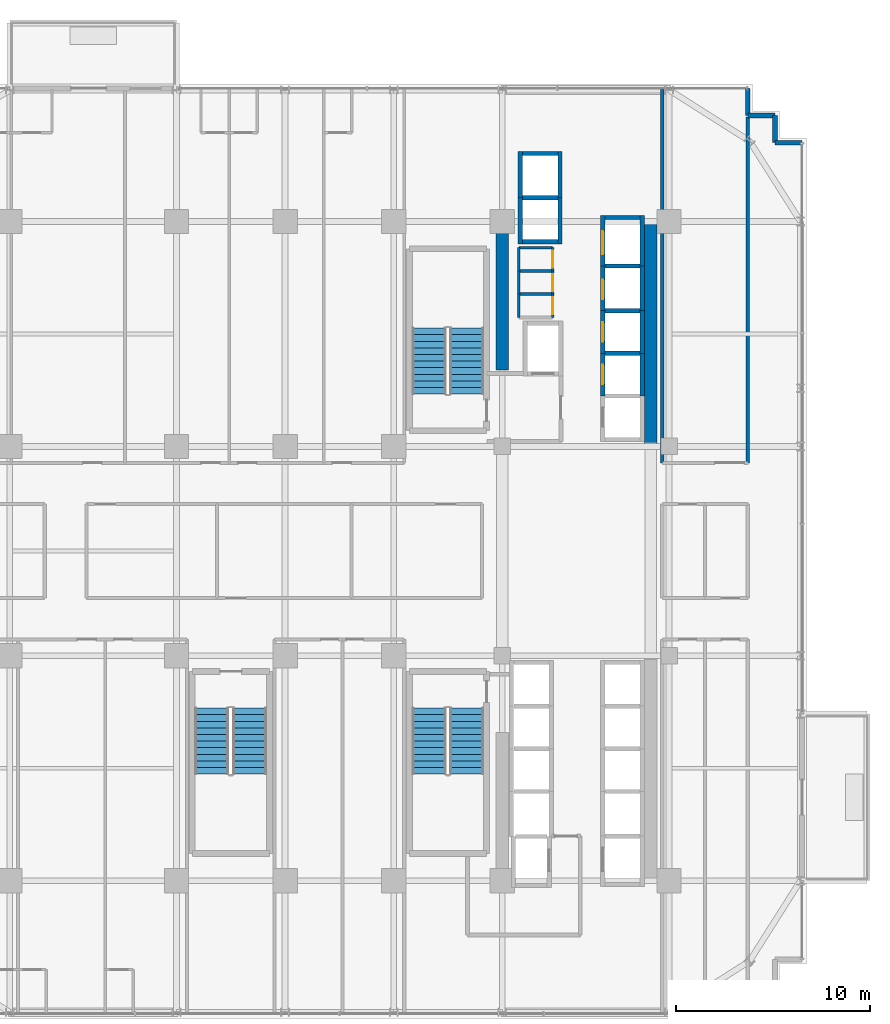
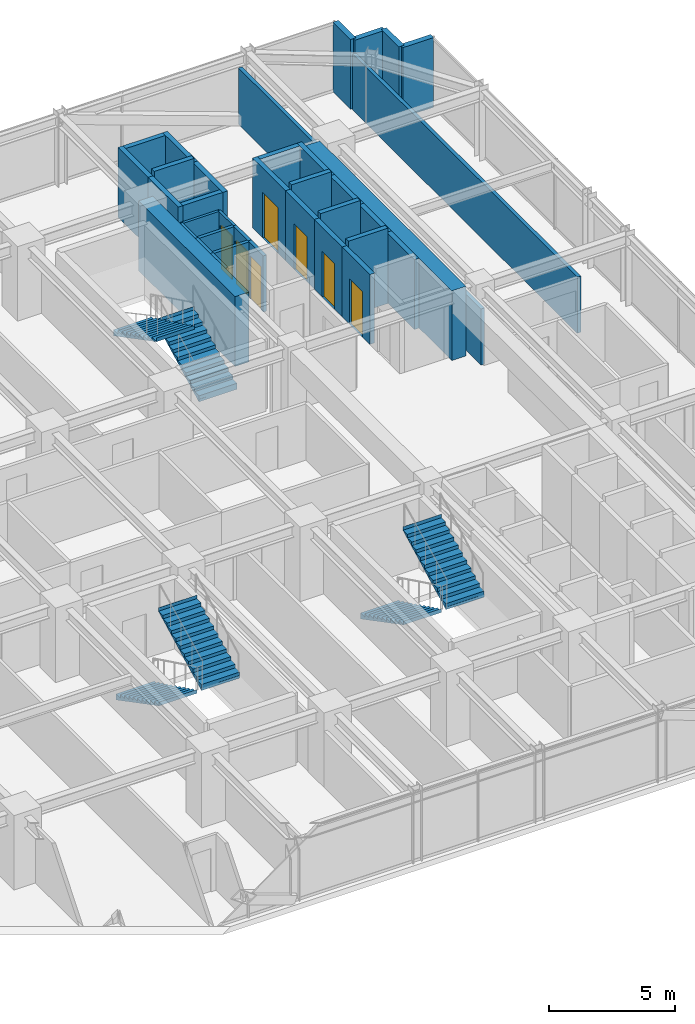
# One storey, part 30 of 34: 36 walls, 7 doors, 6 stair flights, 7 openings, 3 elements without a shape of their own.
"""IFC4 building model written with IfcOpenShell, lengths in metres."""

from ifc_helpers import new_model, si_unit, direction, frame, frame_2d, origin, place, context, subcontext, project, spatial, polyline, rectangle, outline, extrude, source, transform, mapped, material, layer, layer_set, type_object, element, fill, aggregate, save


model = new_model("IFC4")

# Units and contexts
model_context = context("Model", 3, precision=1e-05, world=origin(), true_north=direction((0.0, 1.0)))
body_context = subcontext(model_context, "Body", "Model", "MODEL_VIEW")
ifc_project = project(units=[si_unit("LENGTHUNIT", "METRE"), si_unit("AREAUNIT", "SQUARE_METRE"), si_unit("VOLUMEUNIT", "CUBIC_METRE"), si_unit("PLANEANGLEUNIT", "RADIAN"), si_unit("MASSUNIT", "GRAM", prefix="KILO")], contexts=[model_context])

# Site, building, storey
site_placement = place(None, origin())
site = spatial("IfcSite", under=ifc_project, at=site_placement, CompositionType="ELEMENT")
building_placement = place(site_placement, origin())
building = spatial("IfcBuilding", under=site, at=building_placement, Name="Nahalor Promenade Grand Hotel", CompositionType="ELEMENT")
storey_placement = place(building_placement, frame((0.0, 0.0, 99.25)))
storey = spatial("IfcBuildingStorey", under=building, at=storey_placement, Name="L24", CompositionType="ELEMENT", Elevation=99.25)

# Walls
ifc_material_1 = material(Name="Concrete B-60 (C50/60)", Category="concrete")
ifc_layer_1 = layer(ifc_material_1, 0.64990234375)
ifc_layer_set_1 = layer_set([ifc_layer_1], Name="Concrete B-60 (C50/60)")
wall_type_1 = type_object("IfcWallType", Name="Wall-CoreShear-650", PredefinedType="SHEAR", material=ifc_layer_set_1)
shared_shape_1 = source(origin(), body_context, "Body", "SweptSolid", [
    extrude(rectangle(XDim=7.64990234375, YDim=0.64990234375, at=frame_2d((3.824951171875, 0.0))), origin(), (0.0, 0.0, 1.0), 3.3798828125),
])
wall_1_placement = place(storey_placement, frame((8.39990234375, 9.35009765625, 0.0), z_axis=(0.0, 0.0, 1.0), x_axis=(0.0, 1.0, 0.0)))
element("IfcWall", 1, at=wall_1_placement, inside=storey, type_object=wall_type_1, Name="CWALL-L24-NW", PredefinedType="SHEAR", context=body_context, shape_type="MappedRepresentation", body=[
    mapped(shared_shape_1, transform((0.0, 0.0, 0.0), scale=1.0)),
])
shared_shape_2 = source(origin(), body_context, "Body", "SweptSolid", [
    extrude(rectangle(XDim=11.60009765625, YDim=0.64990234375, at=frame_2d((5.800048828125, 0.0))), origin(), (0.0, 0.0, 1.0), 3.3798828125),
])
wall_2_placement = place(storey_placement, frame((16.050048828125, 5.39990234375, 0.0), z_axis=(0.0, 0.0, 1.0), x_axis=(0.0, 1.0, 0.0)))
element("IfcWall", 2, at=wall_2_placement, inside=storey, type_object=wall_type_1, Name="CWALL-L24-NE", PredefinedType="SHEAR", context=body_context, shape_type="MappedRepresentation", body=[
    mapped(shared_shape_2, transform((0.0, 0.0, 0.0), scale=1.0)),
])
ifc_material_2 = material(Name="Concrete B-50 (C40/50)", Category="concrete")
ifc_layer_2 = layer(ifc_material_2, 0.219970703125)
ifc_layer_set_2 = layer_set([ifc_layer_2], Name="Concrete B-50 (C40/50)")
wall_type_2 = type_object("IfcWallType", Name="Wall-LiftShaft-220", PredefinedType="SHEAR", material=ifc_layer_set_2)
shared_shape_3 = source(origin(), body_context, "Body", "SweptSolid", [
    extrude(rectangle(XDim=1.820068359375, YDim=0.219970703125, at=frame_2d((0.91015625, 0.0))), origin(), (0.0, 0.0, 1.0), 3.64990234375),
])
for number, where, z_axis, x_axis, name in (
    (3, (13.68994140625, 10.199951171875, 0.0), (0.0, 0.0, 1.0), (1.0, 0.0, 0.0), "L24 Lift PL2 Hoistway Wall N"),
    (4, (13.68994140625, 12.39990234375, 0.0), (0.0, 0.0, 1.0), (1.0, 0.0, 0.0), "L24 Lift PL3 Hoistway Wall N"),
    (5, (13.68994140625, 14.699951171875, 0.0), (0.0, 0.0, 1.0), (1.0, 0.0, 0.0), "L24 Lift PL4 Hoistway Wall N"),
    (6, (9.43994140625, 18.22509765625, 0.0), (0.0, 0.0, 1.0), (1.0, 0.0, 0.0), "L24 Lift OB1 Hoistway Wall N"),
):
    element("IfcWall", number, at=place(storey_placement, frame(where, z_axis=z_axis, x_axis=x_axis)), inside=storey, type_object=wall_type_2, Name=name, PredefinedType="SHEAR", context=body_context, shape_type="MappedRepresentation", body=[
        mapped(shared_shape_3, transform((0.0, 0.0, 0.0), scale=1.0)),
    ])
shared_shape_4 = source(origin(), body_context, "Body", "SweptSolid", [
    extrude(rectangle(XDim=1.820068359375, YDim=0.219970703125, at=frame_2d((0.91015625, 0.0))), origin(), (0.0, 0.0, 1.0), 3.3798828125),
])
for number, where, z_axis, x_axis, name in (
    (7, (9.43994140625, 15.949951171875, 0.0), (0.0, 0.0, 1.0), (1.0, 0.0, 0.0), "L24 Lift OB1 Hoistway Wall S"),
    (8, (9.43994140625, 20.5, 0.0), (0.0, 0.0, 1.0), (1.0, 0.0, 0.0), "L24 Lift OB2 Hoistway Wall N"),
    (9, (13.68994140625, 17.199951171875, 0.0), (0.0, 0.0, 1.0), (1.0, 0.0, 0.0), "L24 Lift SV1 Hoistway Wall N"),
):
    element("IfcWall", number, at=place(storey_placement, frame(where, z_axis=z_axis, x_axis=x_axis)), inside=storey, type_object=wall_type_2, Name=name, PredefinedType="SHEAR", context=body_context, shape_type="MappedRepresentation", body=[
        mapped(shared_shape_4, transform((0.0, 0.0, 0.0), scale=1.0)),
    ])

# Wall, opening, door
shared_shape_5 = source(origin(), body_context, "Body", "SweptSolid", [
    extrude(rectangle(XDim=2.199951171875, YDim=0.219970703125, at=frame_2d((1.10009765625, 0.0))), origin(), (0.0, 0.0, 1.0), 3.3798828125),
])
wall_3_placement = place(storey_placement, frame((13.580078125, 8.0, 0.0), z_axis=(0.0, 0.0, 1.0), x_axis=(0.0, 1.0, 0.0)))
wall_3 = element("IfcWall", 10, at=wall_3_placement, inside=storey, type_object=wall_type_2, Name="L24 Lift PL2 Hoistway Wall W", PredefinedType="SHEAR", context=body_context, shape_type="MappedRepresentation", body=[
    mapped(shared_shape_5, transform((0.0, 0.0, 0.0), scale=1.0)),
])
opening_1_placement = place(wall_3_placement, frame((0.60009765625, 0.0, 0.0)))
opening_1 = element("IfcOpeningElement", 11, at=opening_1_placement, cuts=wall_3, Name="Opening LD-01", PredefinedType="OPENING", context=body_context, shape_type="SweptSolid", body=[
    extrude(rectangle(XDim=1.0, YDim=2.199951171875, at=frame_2d((0.5, 1.10009765625))), frame((0.0, 0.119873046875, 0.0), z_axis=(0.0, -1.0, 0.0), x_axis=(1.0, 0.0, 0.0)), (0.0, 0.0, 1.0), 0.239990234375),
])
ifc_material_3 = material(Name="Steel S355JR", Category="steel")
door_type_1 = type_object("IfcDoorType", Name="Door-LiftLanding-1000", OperationType="DOUBLE_DOOR_SLIDING", PredefinedType="DOOR", material=ifc_material_3)
shared_shape_6 = source(origin(), body_context, "Body", "SweptSolid", [
    extrude(rectangle(XDim=1.0, YDim=2.199951171875, at=frame_2d((0.5, 1.10009765625))), frame((0.0, 0.02490234375, 0.0), z_axis=(0.0, -1.0, 0.0), x_axis=(1.0, 0.0, 0.0)), (0.0, 0.0, 1.0), 0.050048828125),
])
door_1_placement = place(opening_1_placement, origin())
door_1 = element("IfcDoor", 12, at=door_1_placement, inside=storey, type_object=door_type_1, Name="DR-LIFT-PL2-L24", OperationType="DOUBLE_DOOR_SLIDING", OverallHeight=2.199951171875, OverallWidth=1.0, PredefinedType="DOOR", context=body_context, shape_type="MappedRepresentation", body=[
    mapped(shared_shape_6, transform((0.0, 0.0, 0.0), scale=1.0)),
])
fill(opening_1, door_1)

# Wall
wall_4_placement = place(storey_placement, frame((15.6201171875, 8.0, 0.0), z_axis=(0.0, 0.0, 1.0), x_axis=(0.0, 1.0, 0.0)))
element("IfcWall", 13, at=wall_4_placement, inside=storey, type_object=wall_type_2, Name="L24 Lift PL2 Hoistway Wall E", PredefinedType="SHEAR", context=body_context, shape_type="MappedRepresentation", body=[
    mapped(shared_shape_5, transform((0.0, 0.0, 0.0), scale=1.0)),
])

# Wall, opening, door
wall_5_placement = place(storey_placement, frame((13.580078125, 10.199951171875, 0.0), z_axis=(0.0, 0.0, 1.0), x_axis=(0.0, 1.0, 0.0)))
wall_5 = element("IfcWall", 14, at=wall_5_placement, inside=storey, type_object=wall_type_2, Name="L24 Lift PL3 Hoistway Wall W", PredefinedType="SHEAR", context=body_context, shape_type="MappedRepresentation", body=[
    mapped(shared_shape_5, transform((0.0, 0.0, 0.0), scale=1.0)),
])
opening_2_placement = place(wall_5_placement, frame((0.60009765625, 0.0, 0.0)))
opening_2 = element("IfcOpeningElement", 15, at=opening_2_placement, cuts=wall_5, Name="Opening LD-01", PredefinedType="OPENING", context=body_context, shape_type="SweptSolid", body=[
    extrude(rectangle(XDim=1.0, YDim=2.199951171875, at=frame_2d((0.5, 1.10009765625))), frame((0.0, 0.119873046875, 0.0), z_axis=(0.0, -1.0, 0.0), x_axis=(1.0, 0.0, 0.0)), (0.0, 0.0, 1.0), 0.239990234375),
])
door_2_placement = place(opening_2_placement, origin())
door_2 = element("IfcDoor", 16, at=door_2_placement, inside=storey, type_object=door_type_1, Name="DR-LIFT-PL3-L24", OperationType="DOUBLE_DOOR_SLIDING", OverallHeight=2.199951171875, OverallWidth=1.0, PredefinedType="DOOR", context=body_context, shape_type="MappedRepresentation", body=[
    mapped(shared_shape_6, transform((0.0, 0.0, 0.0), scale=1.0)),
])
fill(opening_2, door_2)

# Wall
wall_6_placement = place(storey_placement, frame((15.6201171875, 10.199951171875, 0.0), z_axis=(0.0, 0.0, 1.0), x_axis=(0.0, 1.0, 0.0)))
element("IfcWall", 17, at=wall_6_placement, inside=storey, type_object=wall_type_2, Name="L24 Lift PL3 Hoistway Wall E", PredefinedType="SHEAR", context=body_context, shape_type="MappedRepresentation", body=[
    mapped(shared_shape_5, transform((0.0, 0.0, 0.0), scale=1.0)),
])

# Wall, opening, door
shared_shape_7 = source(origin(), body_context, "Body", "SweptSolid", [
    extrude(rectangle(XDim=2.300048828125, YDim=0.219970703125, at=frame_2d((1.14990234375, 0.0))), origin(), (0.0, 0.0, 1.0), 3.3798828125),
])
wall_7_placement = place(storey_placement, frame((13.580078125, 12.39990234375, 0.0), z_axis=(0.0, 0.0, 1.0), x_axis=(0.0, 1.0, 0.0)))
wall_7 = element("IfcWall", 18, at=wall_7_placement, inside=storey, type_object=wall_type_2, Name="L24 Lift PL4 Hoistway Wall W", PredefinedType="SHEAR", context=body_context, shape_type="MappedRepresentation", body=[
    mapped(shared_shape_7, transform((0.0, 0.0, 0.0), scale=1.0)),
])
opening_3_placement = place(wall_7_placement, frame((0.60009765625, 0.0, 0.0)))
opening_3 = element("IfcOpeningElement", 19, at=opening_3_placement, cuts=wall_7, Name="Opening LD-01", PredefinedType="OPENING", context=body_context, shape_type="SweptSolid", body=[
    extrude(rectangle(XDim=1.0, YDim=2.199951171875, at=frame_2d((0.5, 1.10009765625))), frame((0.0, 0.119873046875, 0.0), z_axis=(0.0, -1.0, 0.0), x_axis=(1.0, 0.0, 0.0)), (0.0, 0.0, 1.0), 0.239990234375),
])
door_3_placement = place(opening_3_placement, origin())
door_3 = element("IfcDoor", 20, at=door_3_placement, inside=storey, type_object=door_type_1, Name="DR-LIFT-PL4-L24", OperationType="DOUBLE_DOOR_SLIDING", OverallHeight=2.199951171875, OverallWidth=1.0, PredefinedType="DOOR", context=body_context, shape_type="MappedRepresentation", body=[
    mapped(shared_shape_6, transform((0.0, 0.0, 0.0), scale=1.0)),
])
fill(opening_3, door_3)

# Walls
wall_8_placement = place(storey_placement, frame((15.6201171875, 12.39990234375, 0.0), z_axis=(0.0, 0.0, 1.0), x_axis=(0.0, 1.0, 0.0)))
element("IfcWall", 21, at=wall_8_placement, inside=storey, type_object=wall_type_2, Name="L24 Lift PL4 Hoistway Wall E", PredefinedType="SHEAR", context=body_context, shape_type="MappedRepresentation", body=[
    mapped(shared_shape_7, transform((0.0, 0.0, 0.0), scale=1.0)),
])
shared_shape_8 = source(origin(), body_context, "Body", "SweptSolid", [
    extrude(rectangle(XDim=2.385009765625, YDim=0.219970703125, at=frame_2d((1.1923828125, 0.0))), origin(), (0.0, 0.0, 1.0), 3.3798828125),
])
for number, where, z_axis, x_axis, name in (
    (22, (9.330078125, 15.840087890625, 0.0), (0.0, 0.0, 1.0), (0.0, 1.0, 0.0), "L24 Lift OB1 Hoistway Wall W"),
    (23, (11.3701171875, 15.840087890625, 0.0), (0.0, 0.0, 1.0), (0.0, 1.0, 0.0), "L24 Lift OB1 Hoistway Wall E"),
    (24, (9.330078125, 18.22509765625, 0.0), (0.0, 0.0, 1.0), (0.0, 1.0, 0.0), "L24 Lift OB2 Hoistway Wall W"),
    (25, (11.3701171875, 18.22509765625, 0.0), (0.0, 0.0, 1.0), (0.0, 1.0, 0.0), "L24 Lift OB2 Hoistway Wall E"),
):
    element("IfcWall", number, at=place(storey_placement, frame(where, z_axis=z_axis, x_axis=x_axis)), inside=storey, type_object=wall_type_2, Name=name, PredefinedType="SHEAR", context=body_context, shape_type="MappedRepresentation", body=[
        mapped(shared_shape_8, transform((0.0, 0.0, 0.0), scale=1.0)),
    ])

# Wall, opening, door
shared_shape_9 = source(origin(), body_context, "Body", "SweptSolid", [
    extrude(rectangle(XDim=2.610107421875, YDim=0.219970703125, at=frame_2d((1.30517578125, 0.0))), origin(), (0.0, 0.0, 1.0), 3.3798828125),
])
wall_9_placement = place(storey_placement, frame((13.580078125, 14.699951171875, 0.0), z_axis=(0.0, 0.0, 1.0), x_axis=(0.0, 1.0, 0.0)))
wall_9 = element("IfcWall", 26, at=wall_9_placement, inside=storey, type_object=wall_type_2, Name="L24 Lift SV1 Hoistway Wall W", PredefinedType="SHEAR", context=body_context, shape_type="MappedRepresentation", body=[
    mapped(shared_shape_9, transform((0.0, 0.0, 0.0), scale=1.0)),
])
opening_4_placement = place(wall_9_placement, frame((0.60009765625, 0.0, 0.0)))
opening_4 = element("IfcOpeningElement", 27, at=opening_4_placement, cuts=wall_9, Name="Opening LD-03", PredefinedType="OPENING", context=body_context, shape_type="SweptSolid", body=[
    extrude(rectangle(XDim=1.199951171875, YDim=2.199951171875, at=frame_2d((0.60009765625, 1.10009765625))), frame((0.0, 0.119873046875, 0.0), z_axis=(0.0, -1.0, 0.0), x_axis=(1.0, 0.0, 0.0)), (0.0, 0.0, 1.0), 0.239990234375),
])
door_type_2 = type_object("IfcDoorType", Name="Door-LiftService-1200", OperationType="DOUBLE_DOOR_SLIDING", PredefinedType="DOOR", material=ifc_material_3)
shared_shape_10 = source(origin(), body_context, "Body", "SweptSolid", [
    extrude(rectangle(XDim=1.199951171875, YDim=2.199951171875, at=frame_2d((0.60009765625, 1.10009765625))), frame((0.0, 0.02490234375, 0.0), z_axis=(0.0, -1.0, 0.0), x_axis=(1.0, 0.0, 0.0)), (0.0, 0.0, 1.0), 0.050048828125),
])
door_4_placement = place(opening_4_placement, origin())
door_4 = element("IfcDoor", 28, at=door_4_placement, inside=storey, type_object=door_type_2, Name="DR-LIFT-SV1-L24", OperationType="DOUBLE_DOOR_SLIDING", OverallHeight=2.199951171875, OverallWidth=1.199951171875, PredefinedType="DOOR", context=body_context, shape_type="MappedRepresentation", body=[
    mapped(shared_shape_10, transform((0.0, 0.0, 0.0), scale=1.0)),
])
fill(opening_4, door_4)

# Walls
wall_10_placement = place(storey_placement, frame((15.6201171875, 14.699951171875, 0.0), z_axis=(0.0, 0.0, 1.0), x_axis=(0.0, 1.0, 0.0)))
element("IfcWall", 29, at=wall_10_placement, inside=storey, type_object=wall_type_2, Name="L24 Lift SV1 Hoistway Wall E", PredefinedType="SHEAR", context=body_context, shape_type="MappedRepresentation", body=[
    mapped(shared_shape_9, transform((0.0, 0.0, 0.0), scale=1.0)),
])
ifc_material_4 = material(Name="Concrete B-40 (C32/40)", Category="concrete")
ifc_layer_3 = layer(ifc_material_4, 0.25)
ifc_layer_set_3 = layer_set([ifc_layer_3], Name="Concrete B-40 (C32/40)")
wall_type_3 = type_object("IfcWallType", Name="Wall-BronzePier-250", PredefinedType="STANDARD", material=ifc_layer_set_3)
shared_shape_11 = source(origin(), body_context, "Body", "SweptSolid", [
    extrude(rectangle(XDim=1.400146484375, YDim=0.25, at=frame_2d((0.7001953125, 0.0))), origin(), (0.0, 0.0, 1.0), 3.3798828125),
])
for number, where, z_axis, x_axis, name in (
    (30, (22.4599609375, 21.06005859375, 0.0), (0.0, 0.0, 1.0), (1.0, 0.0, 0.0), "W-L24-SR-05"),
    (31, (21.06005859375, 22.4599609375, 0.0), (0.0, 0.0, 1.0), (0.0, 1.0, 0.0), "W-L24-SR-08"),
):
    element("IfcWall", number, at=place(storey_placement, frame(where, z_axis=z_axis, x_axis=x_axis)), inside=storey, type_object=wall_type_3, Name=name, PredefinedType="STANDARD", context=body_context, shape_type="MappedRepresentation", body=[
        mapped(shared_shape_11, transform((0.0, 0.0, 0.0), scale=1.0)),
    ])
shared_shape_12 = source(origin(), body_context, "Body", "SweptSolid", [
    extrude(rectangle(XDim=1.39990234375, YDim=0.25, at=frame_2d((0.699951171875, 0.0))), origin(), (0.0, 0.0, 1.0), 3.3798828125),
])
for number, where, z_axis, x_axis, name in (
    (32, (22.4599609375, 21.06005859375, 0.0), (0.0, 0.0, 1.0), (0.0, 1.0, 0.0), "W-L24-SR-06"),
    (33, (21.06005859375, 22.4599609375, 0.0), (0.0, 0.0, 1.0), (1.0, 0.0, 0.0), "W-L24-SR-07"),
):
    element("IfcWall", number, at=place(storey_placement, frame(where, z_axis=z_axis, x_axis=x_axis)), inside=storey, type_object=wall_type_3, Name=name, PredefinedType="STANDARD", context=body_context, shape_type="MappedRepresentation", body=[
        mapped(shared_shape_12, transform((0.0, 0.0, 0.0), scale=1.0)),
    ])
ifc_material_5 = material(Name="Acoustic Mineral Gypsum", Category="gypsum")
ifc_layer_4 = layer(ifc_material_5, 0.14990234375)
ifc_layer_set_4 = layer_set([ifc_layer_4], Name="Acoustic Mineral Gypsum")
wall_type_4 = type_object("IfcWallType", Name="Wall-PartService-150", PredefinedType="PARTITIONING", material=ifc_layer_set_4)
shared_shape_13 = source(origin(), body_context, "Body", "SweptSolid", [
    extrude(rectangle(XDim=1.75, YDim=0.14990234375, at=frame_2d((0.875, 0.0))), origin(), (0.0, 0.0, 1.0), 2.719970703125),
])
for number, where, z_axis, x_axis, name in (
    (34, (9.25, 13.25, 0.0), (0.0, 0.0, 1.0), (1.0, 0.0, 0.0), "W-L24-CK3A-N"),
    (35, (9.25, 14.449951171875, 0.0), (0.0, 0.0, 1.0), (1.0, 0.0, 0.0), "W-L24-CK3B-N"),
):
    element("IfcWall", number, at=place(storey_placement, frame(where, z_axis=z_axis, x_axis=x_axis)), inside=storey, type_object=wall_type_4, Name=name, PredefinedType="PARTITIONING", context=body_context, shape_type="MappedRepresentation", body=[
        mapped(shared_shape_13, transform((0.0, 0.0, 0.0), scale=1.0)),
    ])
shared_shape_14 = source(origin(), body_context, "Body", "SweptSolid", [
    extrude(rectangle(XDim=1.199951171875, YDim=0.14990234375, at=frame_2d((0.60009765625, 0.0))), origin(), (0.0, 0.0, 1.0), 2.719970703125),
])
wall_11_placement = place(storey_placement, frame((9.25, 12.050048828125, 0.0), z_axis=(0.0, 0.0, 1.0), x_axis=(0.0, 1.0, 0.0)))
element("IfcWall", 36, at=wall_11_placement, inside=storey, type_object=wall_type_4, Name="W-L24-CK3A-W", PredefinedType="PARTITIONING", context=body_context, shape_type="MappedRepresentation", body=[
    mapped(shared_shape_14, transform((0.0, 0.0, 0.0), scale=1.0)),
])

# Wall, opening, door
wall_12_placement = place(storey_placement, frame((11.0, 12.050048828125, 0.0), z_axis=(0.0, 0.0, 1.0), x_axis=(0.0, 1.0, 0.0)))
wall_12 = element("IfcWall", 37, at=wall_12_placement, inside=storey, type_object=wall_type_4, Name="W-L24-CK3A-E", PredefinedType="PARTITIONING", context=body_context, shape_type="MappedRepresentation", body=[
    mapped(shared_shape_14, transform((0.0, 0.0, 0.0), scale=1.0)),
])
opening_5_placement = place(wall_12_placement, frame((0.159912109375, 0.0, 0.0)))
opening_5 = element("IfcOpeningElement", 38, at=opening_5_placement, cuts=wall_12, Name="Opening D-03", PredefinedType="OPENING", context=body_context, shape_type="SweptSolid", body=[
    extrude(rectangle(XDim=0.8798828125, YDim=2.10009765625, at=frame_2d((0.43994140625, 1.050048828125))), frame((0.0, 0.0849609375, 0.0), z_axis=(0.0, -1.0, 0.0), x_axis=(1.0, 0.0, 0.0)), (0.0, 0.0, 1.0), 0.169921875),
])
ifc_material_6 = material(Name="Fire-Rated Timber Composite", Category="wood")
door_type_3 = type_object("IfcDoorType", Name="Door-BathSwing-880", OperationType="NOTDEFINED", PredefinedType="DOOR", material=ifc_material_6)
shared_shape_15 = source(origin(), body_context, "Body", "SweptSolid", [
    extrude(rectangle(XDim=0.8798828125, YDim=2.10009765625, at=frame_2d((0.43994140625, 1.050048828125))), frame((0.0, 0.02490234375, 0.0), z_axis=(0.0, -1.0, 0.0), x_axis=(1.0, 0.0, 0.0)), (0.0, 0.0, 1.0), 0.050048828125),
])
door_5_placement = place(opening_5_placement, origin())
door_5 = element("IfcDoor", 39, at=door_5_placement, inside=storey, type_object=door_type_3, Name="DR-L24-CK3A", OperationType="SINGLE_SWING_LEFT", OverallHeight=2.10009765625, OverallWidth=0.8798828125, PredefinedType="DOOR", context=body_context, shape_type="MappedRepresentation", body=[
    mapped(shared_shape_15, transform((0.0, 0.0, 0.0), scale=1.0)),
])
fill(opening_5, door_5)

# Wall
wall_13_placement = place(storey_placement, frame((9.25, 13.25, 0.0), z_axis=(0.0, 0.0, 1.0), x_axis=(0.0, 1.0, 0.0)))
element("IfcWall", 40, at=wall_13_placement, inside=storey, type_object=wall_type_4, Name="W-L24-CK3B-W", PredefinedType="PARTITIONING", context=body_context, shape_type="MappedRepresentation", body=[
    mapped(shared_shape_14, transform((0.0, 0.0, 0.0), scale=1.0)),
])

# Wall, opening, door
wall_14_placement = place(storey_placement, frame((11.0, 13.25, 0.0), z_axis=(0.0, 0.0, 1.0), x_axis=(0.0, 1.0, 0.0)))
wall_14 = element("IfcWall", 41, at=wall_14_placement, inside=storey, type_object=wall_type_4, Name="W-L24-CK3B-E", PredefinedType="PARTITIONING", context=body_context, shape_type="MappedRepresentation", body=[
    mapped(shared_shape_14, transform((0.0, 0.0, 0.0), scale=1.0)),
])
opening_6_placement = place(wall_14_placement, frame((0.159912109375, 0.0, 0.0)))
opening_6 = element("IfcOpeningElement", 42, at=opening_6_placement, cuts=wall_14, Name="Opening D-03", PredefinedType="OPENING", context=body_context, shape_type="SweptSolid", body=[
    extrude(rectangle(XDim=0.8798828125, YDim=2.10009765625, at=frame_2d((0.43994140625, 1.050048828125))), frame((0.0, 0.0849609375, 0.0), z_axis=(0.0, -1.0, 0.0), x_axis=(1.0, 0.0, 0.0)), (0.0, 0.0, 1.0), 0.169921875),
])
door_6_placement = place(opening_6_placement, origin())
door_6 = element("IfcDoor", 43, at=door_6_placement, inside=storey, type_object=door_type_3, Name="DR-L24-CK3B", OperationType="SINGLE_SWING_RIGHT", OverallHeight=2.10009765625, OverallWidth=0.8798828125, PredefinedType="DOOR", context=body_context, shape_type="MappedRepresentation", body=[
    mapped(shared_shape_15, transform((0.0, 0.0, 0.0), scale=1.0)),
])
fill(opening_6, door_6)

# Walls
ifc_layer_5 = layer(ifc_material_5, 0.1201171875)
ifc_layer_set_5 = layer_set([ifc_layer_5], Name="Acoustic Mineral Gypsum")
wall_type_5 = type_object("IfcWallType", Name="Wall-PartBath-120", PredefinedType="PARTITIONING", material=ifc_layer_set_5)
shared_shape_16 = source(origin(), body_context, "Body", "SweptSolid", [
    extrude(rectangle(XDim=1.75, YDim=0.1201171875, at=frame_2d((0.875, 0.0))), origin(), (0.0, 0.0, 1.0), 2.719970703125),
])
wall_15_placement = place(storey_placement, frame((9.25, 15.64990234375, 0.0), z_axis=(0.0, 0.0, 1.0), x_axis=(1.0, 0.0, 0.0)))
element("IfcWall", 44, at=wall_15_placement, inside=storey, type_object=wall_type_5, Name="W-L24-CK3C-N", PredefinedType="PARTITIONING", context=body_context, shape_type="MappedRepresentation", body=[
    mapped(shared_shape_16, transform((0.0, 0.0, 0.0), scale=1.0)),
])
shared_shape_17 = source(origin(), body_context, "Body", "SweptSolid", [
    extrude(rectangle(XDim=1.199951171875, YDim=0.1201171875, at=frame_2d((0.60009765625, 0.0))), origin(), (0.0, 0.0, 1.0), 2.719970703125),
])
wall_16_placement = place(storey_placement, frame((9.25, 14.449951171875, 0.0), z_axis=(0.0, 0.0, 1.0), x_axis=(0.0, 1.0, 0.0)))
element("IfcWall", 45, at=wall_16_placement, inside=storey, type_object=wall_type_5, Name="W-L24-CK3C-W", PredefinedType="PARTITIONING", context=body_context, shape_type="MappedRepresentation", body=[
    mapped(shared_shape_17, transform((0.0, 0.0, 0.0), scale=1.0)),
])

# Wall, opening, door
wall_17_placement = place(storey_placement, frame((11.0, 14.449951171875, 0.0), z_axis=(0.0, 0.0, 1.0), x_axis=(0.0, 1.0, 0.0)))
wall_17 = element("IfcWall", 46, at=wall_17_placement, inside=storey, type_object=wall_type_5, Name="W-L24-CK3C-E", PredefinedType="PARTITIONING", context=body_context, shape_type="MappedRepresentation", body=[
    mapped(shared_shape_17, transform((0.0, 0.0, 0.0), scale=1.0)),
])
opening_7_placement = place(wall_17_placement, frame((0.159912109375, 0.0, 0.0)))
opening_7 = element("IfcOpeningElement", 47, at=opening_7_placement, cuts=wall_17, Name="Opening D-03", PredefinedType="OPENING", context=body_context, shape_type="SweptSolid", body=[
    extrude(rectangle(XDim=0.8798828125, YDim=2.10009765625, at=frame_2d((0.43994140625, 1.050048828125))), frame((0.0, 0.070068359375, 0.0), z_axis=(0.0, -1.0, 0.0), x_axis=(1.0, 0.0, 0.0)), (0.0, 0.0, 1.0), 0.14013671875),
])
door_7_placement = place(opening_7_placement, origin())
door_7 = element("IfcDoor", 48, at=door_7_placement, inside=storey, type_object=door_type_3, Name="DR-L24-CK3C", OperationType="SINGLE_SWING_LEFT", OverallHeight=2.10009765625, OverallWidth=0.8798828125, PredefinedType="DOOR", context=body_context, shape_type="MappedRepresentation", body=[
    mapped(shared_shape_15, transform((0.0, 0.0, 0.0), scale=1.0)),
])
fill(opening_7, door_7)

# Walls
ifc_layer_6 = layer(ifc_material_5, 0.159912109375)
ifc_layer_set_6 = layer_set([ifc_layer_6], Name="Acoustic Mineral Gypsum")
wall_type_6 = type_object("IfcWallType", Name="Wall-PartCorridor-160", PredefinedType="PARTITIONING", material=ifc_layer_set_6)
shared_shape_18 = source(origin(), body_context, "Body", "SweptSolid", [
    extrude(rectangle(XDim=19.25, YDim=0.159912109375, at=frame_2d((9.625, 0.0))), origin(), (0.0, 0.0, 1.0), 2.719970703125),
])
wall_18_placement = place(storey_placement, frame((16.64990234375, 4.550048828125, 0.0), z_axis=(0.0, 0.0, 1.0), x_axis=(0.0, 1.0, 0.0)))
element("IfcWall", 49, at=wall_18_placement, inside=storey, type_object=wall_type_6, Name="W-L24-ENE-W", PredefinedType="PARTITIONING", context=body_context, shape_type="MappedRepresentation", body=[
    mapped(shared_shape_18, transform((0.0, 0.0, 0.0), scale=1.0)),
])
shared_shape_19 = source(origin(), body_context, "Body", "SweptSolid", [
    extrude(rectangle(XDim=17.829833984375, YDim=0.159912109375, at=frame_2d((8.9150390625, 0.0))), origin(), (0.0, 0.0, 1.0), 2.719970703125),
])
wall_19_placement = place(storey_placement, frame((21.06005859375, 4.550048828125, 0.0), z_axis=(0.0, 0.0, 1.0), x_axis=(0.0, 1.0, 0.0)))
element("IfcWall", 50, at=wall_19_placement, inside=storey, type_object=wall_type_6, Name="W-L24-ENE-E", PredefinedType="PARTITIONING", context=body_context, shape_type="MappedRepresentation", body=[
    mapped(shared_shape_19, transform((0.0, 0.0, 0.0), scale=1.0)),
])

# Stair, stair flights
stair_type_1 = type_object("IfcStairType", Name="Stair-ST1", PredefinedType="HALF_TURN_STAIR", material=ifc_material_2)
stair_1_placement = place(storey_placement, origin())
stair_1 = element("IfcStair", 51, at=stair_1_placement, inside=storey, type_object=stair_type_1, Name="L24 ST1", PredefinedType="HALF_TURN_STAIR")
ifc_layer_7 = layer(ifc_material_2, 0.179931640625)
ifc_layer_set_7 = layer_set([ifc_layer_7], Name="Concrete B-50 (C40/50)")
stair_flight_type_1 = type_object("IfcStairFlightType", Name="Flight-ST1", PredefinedType="STRAIGHT", material=ifc_layer_set_7)
shared_shape_20 = source(origin(), body_context, "Body", "SweptSolid", [
    extrude(outline(polyline([(-0.00390625, -0.1201171875), (-0.00390625, 0.0), (0.0, 0.0), (0.0, 0.166015625), (0.340087890625, 0.166015625), (0.340087890625, 0.331787109375), (0.679931640625, 0.331787109375), (0.679931640625, 0.497802734375), (1.02001953125, 0.497802734375), (1.02001953125, 0.66357421875), (1.360107421875, 0.66357421875), (1.360107421875, 0.82958984375), (1.699951171875, 0.82958984375), (1.699951171875, 0.995361328125), (2.0400390625, 0.995361328125), (2.0400390625, 1.161376953125), (2.3798828125, 1.161376953125), (2.3798828125, 1.327392578125), (2.719970703125, 1.327392578125), (2.719970703125, 1.4931640625), (3.06005859375, 1.4931640625), (3.06005859375, 1.6591796875), (3.39990234375, 1.6591796875), (3.39990234375, 1.824951171875), (3.404052734375, 1.824951171875), (3.404052734375, 1.64501953125), (0.02001953125, -0.1201171875), (-0.00390625, -0.1201171875)])), frame((0.0, 0.875, 0.0), z_axis=(0.0, -1.0, 0.0), x_axis=(1.0, 0.0, 0.0)), (0.0, 0.0, 1.0), 1.75),
])
stair_flight_1_placement = place(storey_placement, frame((6.574951171875, 8.10009765625, 0.0), z_axis=(0.0, 0.0, 1.0), x_axis=(0.0, 1.0, 0.0)))
stair_flight_1 = element("IfcStairFlight", 52, at=stair_flight_1_placement, type_object=stair_flight_type_1, Name="ST1 flight 1", NumberOfRisers=11, NumberOfTreads=10, PredefinedType="STRAIGHT", RiserHeight=0.165909091, TreadLength=0.34, context=body_context, shape_type="MappedRepresentation", body=[
    mapped(shared_shape_20, transform((0.0, 0.0, 0.0), scale=1.0)),
])
stair_flight_2_placement = place(storey_placement, frame((4.625, 11.5, 1.824951171875), z_axis=(0.0, 0.0, 1.0), x_axis=(0.0, -1.0, 0.0)))
stair_flight_2 = element("IfcStairFlight", 53, at=stair_flight_2_placement, type_object=stair_flight_type_1, Name="ST1 flight 2", NumberOfRisers=11, NumberOfTreads=10, PredefinedType="STRAIGHT", RiserHeight=0.165909091, TreadLength=0.34, context=body_context, shape_type="MappedRepresentation", body=[
    mapped(shared_shape_20, transform((0.0, 0.0, 0.0), scale=1.0)),
])
aggregate(stair_1, [stair_flight_1, stair_flight_2])

stair_type_2 = type_object("IfcStairType", Name="Stair-ST2", PredefinedType="HALF_TURN_STAIR", material=ifc_material_2)
stair_2_placement = place(storey_placement, origin())
stair_2 = element("IfcStair", 54, at=stair_2_placement, inside=storey, type_object=stair_type_2, Name="L24 ST2", PredefinedType="HALF_TURN_STAIR")
ifc_layer_8 = layer(ifc_material_2, 0.18994140625)
ifc_layer_set_8 = layer_set([ifc_layer_8], Name="Concrete B-50 (C40/50)")
stair_flight_type_2 = type_object("IfcStairFlightType", Name="Flight-ST2", PredefinedType="STRAIGHT", material=ifc_layer_set_8)
shared_shape_21 = source(origin(), body_context, "Body", "SweptSolid", [
    extrude(outline(polyline([(-0.00390625, -0.1201171875), (-0.00390625, 0.0), (0.0, 0.0), (0.0, 0.166015625), (0.340087890625, 0.166015625), (0.340087890625, 0.331787109375), (0.679931640625, 0.331787109375), (0.679931640625, 0.497802734375), (1.02001953125, 0.497802734375), (1.02001953125, 0.66357421875), (1.360107421875, 0.66357421875), (1.360107421875, 0.82958984375), (1.699951171875, 0.82958984375), (1.699951171875, 0.995361328125), (2.0400390625, 0.995361328125), (2.0400390625, 1.161376953125), (2.3798828125, 1.161376953125), (2.3798828125, 1.327392578125), (2.719970703125, 1.327392578125), (2.719970703125, 1.4931640625), (3.06005859375, 1.4931640625), (3.06005859375, 1.6591796875), (3.39990234375, 1.6591796875), (3.39990234375, 1.824951171875), (3.404052734375, 1.824951171875), (3.404052734375, 1.64501953125), (0.02001953125, -0.1201171875), (-0.00390625, -0.1201171875)])), frame((0.0, 0.875, 0.0), z_axis=(0.0, -1.0, 0.0), x_axis=(1.0, 0.0, 0.0)), (0.0, 0.0, 1.0), 1.75),
])
stair_flight_3_placement = place(storey_placement, frame((4.625, -8.10009765625, 0.0), z_axis=(0.0, 0.0, 1.0), x_axis=(0.0, -1.0, 0.0)))
stair_flight_3 = element("IfcStairFlight", 55, at=stair_flight_3_placement, type_object=stair_flight_type_2, Name="ST2 flight 1", NumberOfRisers=11, NumberOfTreads=10, PredefinedType="STRAIGHT", RiserHeight=0.165909091, TreadLength=0.34, context=body_context, shape_type="MappedRepresentation", body=[
    mapped(shared_shape_21, transform((0.0, 0.0, 0.0), scale=1.0)),
])
stair_flight_4_placement = place(storey_placement, frame((6.574951171875, -11.5, 1.824951171875), z_axis=(0.0, 0.0, 1.0), x_axis=(0.0, 1.0, 0.0)))
stair_flight_4 = element("IfcStairFlight", 56, at=stair_flight_4_placement, type_object=stair_flight_type_2, Name="ST2 flight 2", NumberOfRisers=11, NumberOfTreads=10, PredefinedType="STRAIGHT", RiserHeight=0.165909091, TreadLength=0.34, context=body_context, shape_type="MappedRepresentation", body=[
    mapped(shared_shape_21, transform((0.0, 0.0, 0.0), scale=1.0)),
])
aggregate(stair_2, [stair_flight_3, stair_flight_4])

stair_type_3 = type_object("IfcStairType", Name="Stair-ST3", PredefinedType="HALF_TURN_STAIR", material=ifc_material_2)
stair_3_placement = place(storey_placement, origin())
stair_3 = element("IfcStair", 57, at=stair_3_placement, inside=storey, type_object=stair_type_3, Name="L24 ST3", PredefinedType="HALF_TURN_STAIR")
ifc_layer_9 = layer(ifc_material_2, 0.199951171875)
ifc_layer_set_9 = layer_set([ifc_layer_9], Name="Concrete B-50 (C40/50)")
stair_flight_type_3 = type_object("IfcStairFlightType", Name="Flight-ST3", PredefinedType="STRAIGHT", material=ifc_layer_set_9)
shared_shape_22 = source(origin(), body_context, "Body", "SweptSolid", [
    extrude(outline(polyline([(-0.00390625, -0.1201171875), (-0.00390625, 0.0), (0.0, 0.0), (0.0, 0.166015625), (0.340087890625, 0.166015625), (0.340087890625, 0.331787109375), (0.679931640625, 0.331787109375), (0.679931640625, 0.497802734375), (1.02001953125, 0.497802734375), (1.02001953125, 0.66357421875), (1.360107421875, 0.66357421875), (1.360107421875, 0.82958984375), (1.699951171875, 0.82958984375), (1.699951171875, 0.995361328125), (2.0400390625, 0.995361328125), (2.0400390625, 1.161376953125), (2.3798828125, 1.161376953125), (2.3798828125, 1.327392578125), (2.719970703125, 1.327392578125), (2.719970703125, 1.4931640625), (3.06005859375, 1.4931640625), (3.06005859375, 1.6591796875), (3.39990234375, 1.6591796875), (3.39990234375, 1.824951171875), (3.404052734375, 1.824951171875), (3.404052734375, 1.64501953125), (0.02001953125, -0.1201171875), (-0.00390625, -0.1201171875)])), frame((0.0, 0.875, 0.0), z_axis=(0.0, -1.0, 0.0), x_axis=(1.0, 0.0, 0.0)), (0.0, 0.0, 1.0), 1.75),
])
stair_flight_5_placement = place(storey_placement, frame((-6.574951171875, -8.10009765625, 0.0), z_axis=(0.0, 0.0, 1.0), x_axis=(0.0, -1.0, 0.0)))
stair_flight_5 = element("IfcStairFlight", 58, at=stair_flight_5_placement, type_object=stair_flight_type_3, Name="ST3 flight 1", NumberOfRisers=11, NumberOfTreads=10, PredefinedType="STRAIGHT", RiserHeight=0.165909091, TreadLength=0.34, context=body_context, shape_type="MappedRepresentation", body=[
    mapped(shared_shape_22, transform((0.0, 0.0, 0.0), scale=1.0)),
])
stair_flight_6_placement = place(storey_placement, frame((-4.625, -11.5, 1.824951171875), z_axis=(0.0, 0.0, 1.0), x_axis=(0.0, 1.0, 0.0)))
stair_flight_6 = element("IfcStairFlight", 59, at=stair_flight_6_placement, type_object=stair_flight_type_3, Name="ST3 flight 2", NumberOfRisers=11, NumberOfTreads=10, PredefinedType="STRAIGHT", RiserHeight=0.165909091, TreadLength=0.34, context=body_context, shape_type="MappedRepresentation", body=[
    mapped(shared_shape_22, transform((0.0, 0.0, 0.0), scale=1.0)),
])
aggregate(stair_3, [stair_flight_5, stair_flight_6])

save(model, "model.ifc")
